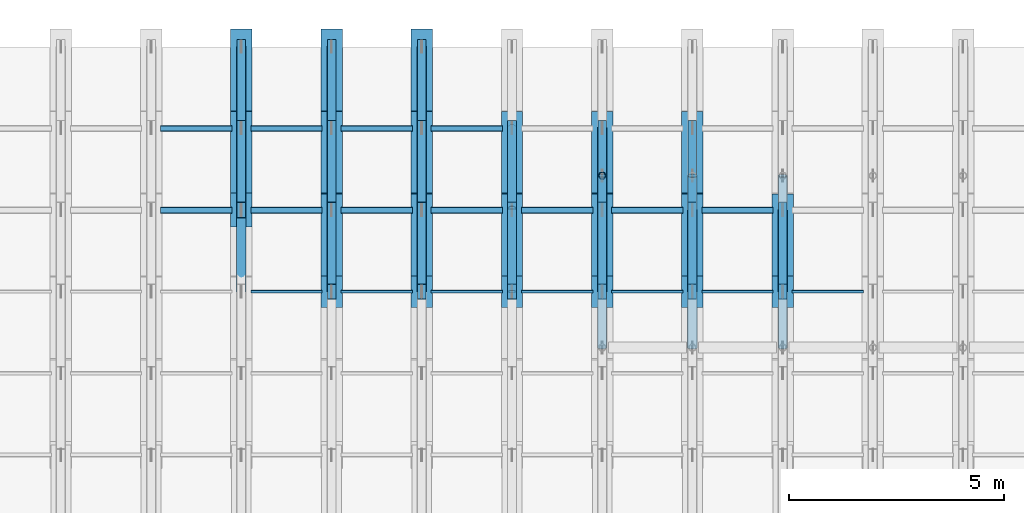
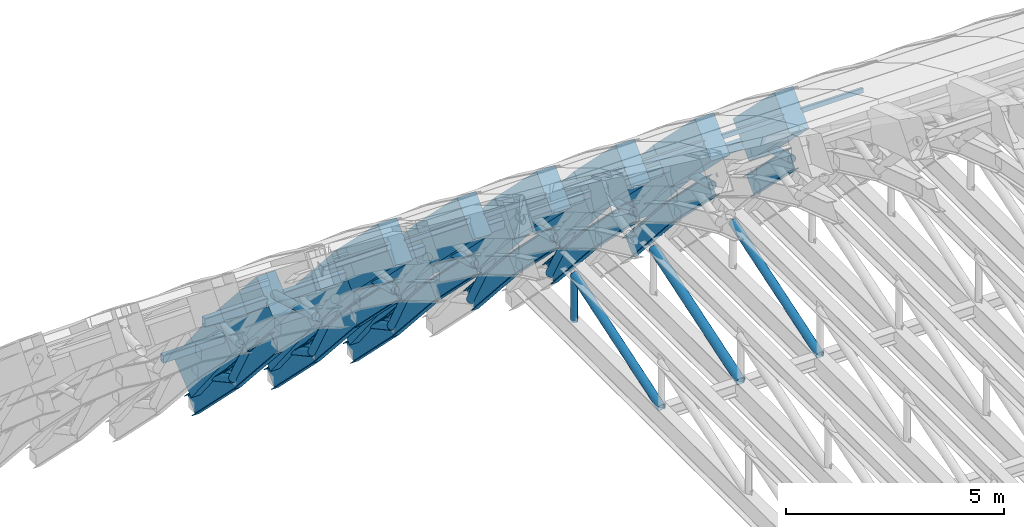
# One storey, part 46 of 67: 37 members, 30 beams.
"""IFC4 building model written with IfcOpenShell, lengths in metres."""

from ifc_helpers import new_model, si_unit, direction, frame, origin, origin_2d, place, context, subcontext, project, spatial, rectangle, hollow_rectangle, hollow_circle, i_section, extrude, material, material_profile, profile_set, type_object, element, save


model = new_model("IFC4")

# Units and contexts
model_context = context("Model", 3, precision=1e-05, world=origin(), true_north=direction((0.0, 1.0)))
body_context = subcontext(model_context, "Body", "Model", "MODEL_VIEW")
ifc_project = project(units=[si_unit("LENGTHUNIT", "METRE"), si_unit("AREAUNIT", "SQUARE_METRE"), si_unit("VOLUMEUNIT", "CUBIC_METRE"), si_unit("PLANEANGLEUNIT", "RADIAN"), si_unit("MASSUNIT", "GRAM", prefix="KILO")], contexts=[model_context])

# Site, building, storey
site_placement = place(None, origin())
site = spatial("IfcSite", under=ifc_project, at=site_placement, CompositionType="ELEMENT")
building_placement = place(site_placement, origin())
building = spatial("IfcBuilding", under=site, at=building_placement, Name="Shengluoqiao Park Theatre", CompositionType="ELEMENT")
storey_placement = place(building_placement, frame((0.0, 0.0, 28.60009765625)))
storey = spatial("IfcBuildingStorey", under=building, at=storey_placement, Name="Roof", CompositionType="ELEMENT", Elevation=28.60009765625)

# Beams
ifc_material_1 = material(Name="Concrete C50", Category="concrete")
ifc_material_profile_1 = material_profile(ifc_material_1, rectangle(XDim=0.5, YDim=1.050048828125, at=origin_2d()), Name="RC ARCH 500x1050")
ifc_profile_set_1 = profile_set([ifc_material_profile_1], Name="Concrete C50")
beam_type_1 = type_object("IfcBeamType", Name="STR-BM-AR-5010", PredefinedType="BEAM", material=ifc_profile_set_1)
beam_1_placement = place(storey_placement, frame((54.89990234375, 110.199951171875, -5.484130859375), z_axis=(0.0, 0.663638456789, -0.748053473136), x_axis=(-1.0, 0.0, 0.0)))
element("IfcBeam", 1, at=beam_1_placement, inside=storey, type_object=beam_type_1, Name="Barrel-Shell Arch Rib R06-S19", PredefinedType="BEAM", context=body_context, shape_type="SweptSolid", body=[
    extrude(rectangle(XDim=0.5, YDim=1.050048828125, at=origin_2d()), origin(), (0.0, 0.0, 1.0), 2.86328125),
])
beam_2_placement = place(storey_placement, frame((54.89990234375, 112.10009765625, -7.6259765625), z_axis=(0.0, 0.621631409309, -0.783309894588), x_axis=(-1.0, 0.0, 0.0)))
element("IfcBeam", 2, at=beam_2_placement, inside=storey, type_object=beam_type_1, Name="Barrel-Shell Arch Rib R06-S20", PredefinedType="BEAM", context=body_context, shape_type="SweptSolid", body=[
    extrude(rectangle(XDim=0.5, YDim=1.050048828125, at=origin_2d()), origin(), (0.0, 0.0, 1.0), 3.056396484375),
])
beam_3_placement = place(storey_placement, frame((57.0, 108.300048828125, -3.593994140625), z_axis=(0.0, 0.708926398432, -0.705282469373), x_axis=(-1.0, 0.0, 0.0)))
element("IfcBeam", 3, at=beam_3_placement, inside=storey, type_object=beam_type_1, Name="Barrel-Shell Arch Rib R07-S18", PredefinedType="BEAM", context=body_context, shape_type="SweptSolid", body=[
    extrude(rectangle(XDim=0.5, YDim=1.050048828125, at=origin_2d()), origin(), (0.0, 0.0, 1.0), 2.679931640625),
])
beam_4_placement = place(storey_placement, frame((57.0, 110.199951171875, -5.484130859375), z_axis=(0.0, 0.663638456789, -0.748053473136), x_axis=(-1.0, 0.0, 0.0)))
element("IfcBeam", 4, at=beam_4_placement, inside=storey, type_object=beam_type_1, Name="Barrel-Shell Arch Rib R07-S19", PredefinedType="BEAM", context=body_context, shape_type="SweptSolid", body=[
    extrude(rectangle(XDim=0.5, YDim=1.050048828125, at=origin_2d()), origin(), (0.0, 0.0, 1.0), 2.86328125),
])
beam_5_placement = place(storey_placement, frame((57.0, 112.10009765625, -7.6259765625), z_axis=(0.0, 0.621631409309, -0.783309894588), x_axis=(-1.0, 0.0, 0.0)))
element("IfcBeam", 5, at=beam_5_placement, inside=storey, type_object=beam_type_1, Name="Barrel-Shell Arch Rib R07-S20", PredefinedType="BEAM", context=body_context, shape_type="SweptSolid", body=[
    extrude(rectangle(XDim=0.5, YDim=1.050048828125, at=origin_2d()), origin(), (0.0, 0.0, 1.0), 3.056396484375),
])
beam_6_placement = place(storey_placement, frame((59.10009765625, 108.300048828125, -3.593994140625), z_axis=(0.0, 0.708926398432, -0.705282469373), x_axis=(-1.0, 0.0, 0.0)))
element("IfcBeam", 6, at=beam_6_placement, inside=storey, type_object=beam_type_1, Name="Barrel-Shell Arch Rib R08-S18", PredefinedType="BEAM", context=body_context, shape_type="SweptSolid", body=[
    extrude(rectangle(XDim=0.5, YDim=1.050048828125, at=origin_2d()), origin(), (0.0, 0.0, 1.0), 2.679931640625),
])
beam_7_placement = place(storey_placement, frame((59.10009765625, 110.199951171875, -5.484130859375), z_axis=(0.0, 0.663638456789, -0.748053473136), x_axis=(-1.0, 0.0, 0.0)))
element("IfcBeam", 7, at=beam_7_placement, inside=storey, type_object=beam_type_1, Name="Barrel-Shell Arch Rib R08-S19", PredefinedType="BEAM", context=body_context, shape_type="SweptSolid", body=[
    extrude(rectangle(XDim=0.5, YDim=1.050048828125, at=origin_2d()), origin(), (0.0, 0.0, 1.0), 2.86328125),
])
beam_8_placement = place(storey_placement, frame((59.10009765625, 112.10009765625, -7.6259765625), z_axis=(0.0, 0.621631409309, -0.783309894588), x_axis=(-1.0, 0.0, 0.0)))
element("IfcBeam", 8, at=beam_8_placement, inside=storey, type_object=beam_type_1, Name="Barrel-Shell Arch Rib R08-S20", PredefinedType="BEAM", context=body_context, shape_type="SweptSolid", body=[
    extrude(rectangle(XDim=0.5, YDim=1.050048828125, at=origin_2d()), origin(), (0.0, 0.0, 1.0), 3.056396484375),
])
beam_9_placement = place(storey_placement, frame((61.199951171875, 108.300048828125, -3.593994140625), z_axis=(0.0, 0.708926398432, -0.705282469373), x_axis=(-1.0, 0.0, 0.0)))
element("IfcBeam", 9, at=beam_9_placement, inside=storey, type_object=beam_type_1, Name="Barrel-Shell Arch Rib R09-S18", PredefinedType="BEAM", context=body_context, shape_type="SweptSolid", body=[
    extrude(rectangle(XDim=0.5, YDim=1.050048828125, at=origin_2d()), origin(), (0.0, 0.0, 1.0), 2.679931640625),
])
beam_10_placement = place(storey_placement, frame((61.199951171875, 110.199951171875, -5.484130859375), z_axis=(0.0, 0.663638456789, -0.748053473136), x_axis=(-1.0, 0.0, 0.0)))
element("IfcBeam", 10, at=beam_10_placement, inside=storey, type_object=beam_type_1, Name="Barrel-Shell Arch Rib R09-S19", PredefinedType="BEAM", context=body_context, shape_type="SweptSolid", body=[
    extrude(rectangle(XDim=0.5, YDim=1.050048828125, at=origin_2d()), origin(), (0.0, 0.0, 1.0), 2.86328125),
])
beam_11_placement = place(storey_placement, frame((63.300048828125, 108.300048828125, -3.593994140625), z_axis=(0.0, 0.708926398432, -0.705282469373), x_axis=(-1.0, 0.0, 0.0)))
element("IfcBeam", 11, at=beam_11_placement, inside=storey, type_object=beam_type_1, Name="Barrel-Shell Arch Rib R10-S18", PredefinedType="BEAM", context=body_context, shape_type="SweptSolid", body=[
    extrude(rectangle(XDim=0.5, YDim=1.050048828125, at=origin_2d()), origin(), (0.0, 0.0, 1.0), 2.679931640625),
])
beam_12_placement = place(storey_placement, frame((63.300048828125, 110.199951171875, -5.484130859375), z_axis=(0.0, 0.663638456789, -0.748053473136), x_axis=(-1.0, 0.0, 0.0)))
element("IfcBeam", 12, at=beam_12_placement, inside=storey, type_object=beam_type_1, Name="Barrel-Shell Arch Rib R10-S19", PredefinedType="BEAM", context=body_context, shape_type="SweptSolid", body=[
    extrude(rectangle(XDim=0.5, YDim=1.050048828125, at=origin_2d()), origin(), (0.0, 0.0, 1.0), 2.86328125),
])
beam_13_placement = place(storey_placement, frame((65.39990234375, 108.300048828125, -3.593994140625), z_axis=(0.0, 0.708926398432, -0.705282469373), x_axis=(-1.0, 0.0, 0.0)))
element("IfcBeam", 13, at=beam_13_placement, inside=storey, type_object=beam_type_1, Name="Barrel-Shell Arch Rib R11-S18", PredefinedType="BEAM", context=body_context, shape_type="SweptSolid", body=[
    extrude(rectangle(XDim=0.5, YDim=1.050048828125, at=origin_2d()), origin(), (0.0, 0.0, 1.0), 2.679931640625),
])
beam_14_placement = place(storey_placement, frame((65.39990234375, 110.199951171875, -5.484130859375), z_axis=(0.0, 0.663638456789, -0.748053473136), x_axis=(-1.0, 0.0, 0.0)))
element("IfcBeam", 14, at=beam_14_placement, inside=storey, type_object=beam_type_1, Name="Barrel-Shell Arch Rib R11-S19", PredefinedType="BEAM", context=body_context, shape_type="SweptSolid", body=[
    extrude(rectangle(XDim=0.5, YDim=1.050048828125, at=origin_2d()), origin(), (0.0, 0.0, 1.0), 2.86328125),
])
beam_15_placement = place(storey_placement, frame((67.5, 108.300048828125, -3.593994140625), z_axis=(0.0, 0.708926398432, -0.705282469373), x_axis=(-1.0, 0.0, 0.0)))
element("IfcBeam", 15, at=beam_15_placement, inside=storey, type_object=beam_type_1, Name="Barrel-Shell Arch Rib R12-S18", PredefinedType="BEAM", context=body_context, shape_type="SweptSolid", body=[
    extrude(rectangle(XDim=0.5, YDim=1.050048828125, at=origin_2d()), origin(), (0.0, 0.0, 1.0), 2.679931640625),
])
ifc_material_2 = material(Name="Steel Q355", Category="steel")
ifc_material_profile_2 = material_profile(ifc_material_2, i_section(OverallWidth=0.199951171875, OverallDepth=0.5, WebThickness=0.010009765625, FlangeThickness=0.01611328125, FilletRadius=0.01806640625, at=origin_2d()), Name="HN 500x200x10x16")
ifc_profile_set_2 = profile_set([ifc_material_profile_2], Name="Steel Q355")
beam_type_2 = type_object("IfcBeamType", Name="STR-BM-J-HN500", PredefinedType="JOIST", material=ifc_profile_set_2)
beam_16_placement = place(storey_placement, frame((54.89990234375, 110.199951171875, -6.843994140625), z_axis=(0.0, 0.663596128385, -0.748091022799), x_axis=(-1.0, 0.0, 0.0)))
element("IfcBeam", 16, at=beam_16_placement, inside=storey, type_object=beam_type_2, Name="Barrel-Shell Lower Arch Chord R06-S19", PredefinedType="JOIST", context=body_context, shape_type="SweptSolid", body=[
    extrude(i_section(OverallWidth=0.199951171875, OverallDepth=0.5, WebThickness=0.010009765625, FlangeThickness=0.01611328125, FilletRadius=0.01806640625, at=origin_2d()), origin(), (0.0, 0.0, 1.0), 2.863525390625),
])
beam_17_placement = place(storey_placement, frame((54.89990234375, 112.10009765625, -8.986083984375), z_axis=(0.0, 0.708197993403, -0.706013882398), x_axis=(-1.0, 0.0, 0.0)))
element("IfcBeam", 17, at=beam_17_placement, inside=storey, type_object=beam_type_2, Name="Barrel-Shell Lower Arch Chord R06-S20", PredefinedType="JOIST", context=body_context, shape_type="SweptSolid", body=[
    extrude(i_section(OverallWidth=0.199951171875, OverallDepth=0.5, WebThickness=0.010009765625, FlangeThickness=0.01611328125, FilletRadius=0.01806640625, at=origin_2d()), origin(), (0.0, 0.0, 1.0), 2.6826171875),
])
beam_18_placement = place(storey_placement, frame((57.0, 108.300048828125, -4.9541015625), z_axis=(0.0, 0.708971948389, -0.70523668112), x_axis=(-1.0, 0.0, 0.0)))
element("IfcBeam", 18, at=beam_18_placement, inside=storey, type_object=beam_type_2, Name="Barrel-Shell Lower Arch Chord R07-S18", PredefinedType="JOIST", context=body_context, shape_type="SweptSolid", body=[
    extrude(i_section(OverallWidth=0.199951171875, OverallDepth=0.5, WebThickness=0.010009765625, FlangeThickness=0.01611328125, FilletRadius=0.01806640625, at=origin_2d()), origin(), (0.0, 0.0, 1.0), 2.6796875),
])
beam_19_placement = place(storey_placement, frame((57.0, 110.199951171875, -6.843994140625), z_axis=(0.0, 0.663596128385, -0.748091022799), x_axis=(-1.0, 0.0, 0.0)))
element("IfcBeam", 19, at=beam_19_placement, inside=storey, type_object=beam_type_2, Name="Barrel-Shell Lower Arch Chord R07-S19", PredefinedType="JOIST", context=body_context, shape_type="SweptSolid", body=[
    extrude(i_section(OverallWidth=0.199951171875, OverallDepth=0.5, WebThickness=0.010009765625, FlangeThickness=0.01611328125, FilletRadius=0.01806640625, at=origin_2d()), origin(), (0.0, 0.0, 1.0), 2.863525390625),
])
beam_20_placement = place(storey_placement, frame((57.0, 112.10009765625, -8.986083984375), z_axis=(0.0, 0.708197993403, -0.706013882398), x_axis=(-1.0, 0.0, 0.0)))
element("IfcBeam", 20, at=beam_20_placement, inside=storey, type_object=beam_type_2, Name="Barrel-Shell Lower Arch Chord R07-S20", PredefinedType="JOIST", context=body_context, shape_type="SweptSolid", body=[
    extrude(i_section(OverallWidth=0.199951171875, OverallDepth=0.5, WebThickness=0.010009765625, FlangeThickness=0.01611328125, FilletRadius=0.01806640625, at=origin_2d()), origin(), (0.0, 0.0, 1.0), 2.6826171875),
])
beam_21_placement = place(storey_placement, frame((59.10009765625, 108.300048828125, -4.9541015625), z_axis=(0.0, 0.708971948389, -0.70523668112), x_axis=(-1.0, 0.0, 0.0)))
element("IfcBeam", 21, at=beam_21_placement, inside=storey, type_object=beam_type_2, Name="Barrel-Shell Lower Arch Chord R08-S18", PredefinedType="JOIST", context=body_context, shape_type="SweptSolid", body=[
    extrude(i_section(OverallWidth=0.199951171875, OverallDepth=0.5, WebThickness=0.010009765625, FlangeThickness=0.01611328125, FilletRadius=0.01806640625, at=origin_2d()), origin(), (0.0, 0.0, 1.0), 2.6796875),
])
beam_22_placement = place(storey_placement, frame((59.10009765625, 110.199951171875, -6.843994140625), z_axis=(0.0, 0.663596128385, -0.748091022799), x_axis=(-1.0, 0.0, 0.0)))
element("IfcBeam", 22, at=beam_22_placement, inside=storey, type_object=beam_type_2, Name="Barrel-Shell Lower Arch Chord R08-S19", PredefinedType="JOIST", context=body_context, shape_type="SweptSolid", body=[
    extrude(i_section(OverallWidth=0.199951171875, OverallDepth=0.5, WebThickness=0.010009765625, FlangeThickness=0.01611328125, FilletRadius=0.01806640625, at=origin_2d()), origin(), (0.0, 0.0, 1.0), 2.863525390625),
])
beam_23_placement = place(storey_placement, frame((59.10009765625, 112.10009765625, -8.986083984375), z_axis=(0.0, 0.708197993403, -0.706013882398), x_axis=(-1.0, 0.0, 0.0)))
element("IfcBeam", 23, at=beam_23_placement, inside=storey, type_object=beam_type_2, Name="Barrel-Shell Lower Arch Chord R08-S20", PredefinedType="JOIST", context=body_context, shape_type="SweptSolid", body=[
    extrude(i_section(OverallWidth=0.199951171875, OverallDepth=0.5, WebThickness=0.010009765625, FlangeThickness=0.01611328125, FilletRadius=0.01806640625, at=origin_2d()), origin(), (0.0, 0.0, 1.0), 2.6826171875),
])
beam_24_placement = place(storey_placement, frame((61.199951171875, 108.300048828125, -4.9541015625), z_axis=(0.0, 0.708971948389, -0.70523668112), x_axis=(-1.0, 0.0, 0.0)))
element("IfcBeam", 24, at=beam_24_placement, inside=storey, type_object=beam_type_2, Name="Barrel-Shell Lower Arch Chord R09-S18", PredefinedType="JOIST", context=body_context, shape_type="SweptSolid", body=[
    extrude(i_section(OverallWidth=0.199951171875, OverallDepth=0.5, WebThickness=0.010009765625, FlangeThickness=0.01611328125, FilletRadius=0.01806640625, at=origin_2d()), origin(), (0.0, 0.0, 1.0), 2.6796875),
])
beam_25_placement = place(storey_placement, frame((61.199951171875, 110.199951171875, -6.843994140625), z_axis=(0.0, 0.663596128385, -0.748091022799), x_axis=(-1.0, 0.0, 0.0)))
element("IfcBeam", 25, at=beam_25_placement, inside=storey, type_object=beam_type_2, Name="Barrel-Shell Lower Arch Chord R09-S19", PredefinedType="JOIST", context=body_context, shape_type="SweptSolid", body=[
    extrude(i_section(OverallWidth=0.199951171875, OverallDepth=0.5, WebThickness=0.010009765625, FlangeThickness=0.01611328125, FilletRadius=0.01806640625, at=origin_2d()), origin(), (0.0, 0.0, 1.0), 2.863525390625),
])
beam_26_placement = place(storey_placement, frame((63.300048828125, 108.300048828125, -4.9541015625), z_axis=(0.0, 0.708971948389, -0.70523668112), x_axis=(-1.0, 0.0, 0.0)))
element("IfcBeam", 26, at=beam_26_placement, inside=storey, type_object=beam_type_2, Name="Barrel-Shell Lower Arch Chord R10-S18", PredefinedType="JOIST", context=body_context, shape_type="SweptSolid", body=[
    extrude(i_section(OverallWidth=0.199951171875, OverallDepth=0.5, WebThickness=0.010009765625, FlangeThickness=0.01611328125, FilletRadius=0.01806640625, at=origin_2d()), origin(), (0.0, 0.0, 1.0), 2.6796875),
])
beam_27_placement = place(storey_placement, frame((63.300048828125, 110.199951171875, -6.843994140625), z_axis=(0.0, 0.663596128385, -0.748091022799), x_axis=(-1.0, 0.0, 0.0)))
element("IfcBeam", 27, at=beam_27_placement, inside=storey, type_object=beam_type_2, Name="Barrel-Shell Lower Arch Chord R10-S19", PredefinedType="JOIST", context=body_context, shape_type="SweptSolid", body=[
    extrude(i_section(OverallWidth=0.199951171875, OverallDepth=0.5, WebThickness=0.010009765625, FlangeThickness=0.01611328125, FilletRadius=0.01806640625, at=origin_2d()), origin(), (0.0, 0.0, 1.0), 2.863525390625),
])
beam_28_placement = place(storey_placement, frame((65.39990234375, 108.300048828125, -4.9541015625), z_axis=(0.0, 0.708971948389, -0.70523668112), x_axis=(-1.0, 0.0, 0.0)))
element("IfcBeam", 28, at=beam_28_placement, inside=storey, type_object=beam_type_2, Name="Barrel-Shell Lower Arch Chord R11-S18", PredefinedType="JOIST", context=body_context, shape_type="SweptSolid", body=[
    extrude(i_section(OverallWidth=0.199951171875, OverallDepth=0.5, WebThickness=0.010009765625, FlangeThickness=0.01611328125, FilletRadius=0.01806640625, at=origin_2d()), origin(), (0.0, 0.0, 1.0), 2.6796875),
])
beam_29_placement = place(storey_placement, frame((65.39990234375, 110.199951171875, -6.843994140625), z_axis=(0.0, 0.663596128385, -0.748091022799), x_axis=(-1.0, 0.0, 0.0)))
element("IfcBeam", 29, at=beam_29_placement, inside=storey, type_object=beam_type_2, Name="Barrel-Shell Lower Arch Chord R11-S19", PredefinedType="JOIST", context=body_context, shape_type="SweptSolid", body=[
    extrude(i_section(OverallWidth=0.199951171875, OverallDepth=0.5, WebThickness=0.010009765625, FlangeThickness=0.01611328125, FilletRadius=0.01806640625, at=origin_2d()), origin(), (0.0, 0.0, 1.0), 2.863525390625),
])
beam_30_placement = place(storey_placement, frame((67.5, 108.300048828125, -4.9541015625), z_axis=(0.0, 0.708971948389, -0.70523668112), x_axis=(-1.0, 0.0, 0.0)))
element("IfcBeam", 30, at=beam_30_placement, inside=storey, type_object=beam_type_2, Name="Barrel-Shell Lower Arch Chord R12-S18", PredefinedType="JOIST", context=body_context, shape_type="SweptSolid", body=[
    extrude(i_section(OverallWidth=0.199951171875, OverallDepth=0.5, WebThickness=0.010009765625, FlangeThickness=0.01611328125, FilletRadius=0.01806640625, at=origin_2d()), origin(), (0.0, 0.0, 1.0), 2.6796875),
])

# Members
ifc_material_profile_3 = material_profile(ifc_material_2, hollow_circle(Radius=0.109619140625, WallThickness=0.010009765625, at=origin_2d()), Name="CHS 219x10")
ifc_profile_set_3 = profile_set([ifc_material_profile_3], Name="Steel Q355")
member_type_1 = type_object("IfcMemberType", Name="STR-MEM-BRC-219", PredefinedType="BRACE", material=ifc_profile_set_3)
member_1_placement = place(storey_placement, frame((54.89990234375, 108.300048828125, -4.9541015625), z_axis=(0.0, 0.963219400843, -0.268716180831), x_axis=(-1.0, 0.0, 0.0)))
element("IfcMember", 31, at=member_1_placement, inside=storey, type_object=member_type_1, Name="Barrel-Shell Arch Truss Web 0118", PredefinedType="BRACE", context=body_context, shape_type="SweptSolid", body=[
    extrude(hollow_circle(Radius=0.109619140625, WallThickness=0.010009765625, at=origin_2d()), origin(), (0.0, 0.0, 1.0), 1.972412109375),
])
member_2_placement = place(storey_placement, frame((54.89990234375, 110.199951171875, -5.484130859375), z_axis=(0.0, 0.476914707828, -0.87894957845), x_axis=(-1.0, 0.0, 0.0)))
element("IfcMember", 32, at=member_2_placement, inside=storey, type_object=member_type_1, Name="Barrel-Shell Arch Truss Web 0119", PredefinedType="BRACE", context=body_context, shape_type="SweptSolid", body=[
    extrude(hollow_circle(Radius=0.109619140625, WallThickness=0.010009765625, at=origin_2d()), origin(), (0.0, 0.0, 1.0), 3.984130859375),
])
member_3_placement = place(storey_placement, frame((54.89990234375, 112.10009765625, -8.986083984375), z_axis=(0.0, 0.878356711208, -0.478005740422), x_axis=(-1.0, 0.0, 0.0)))
element("IfcMember", 33, at=member_3_placement, inside=storey, type_object=member_type_1, Name="Barrel-Shell Arch Truss Web 0120", PredefinedType="BRACE", context=body_context, shape_type="SweptSolid", body=[
    extrude(hollow_circle(Radius=0.109619140625, WallThickness=0.010009765625, at=origin_2d()), origin(), (0.0, 0.0, 1.0), 2.1630859375),
])
member_4_placement = place(storey_placement, frame((57.0, 108.300048828125, -4.9541015625), z_axis=(0.0, 0.963219400843, -0.268716180831), x_axis=(-1.0, 0.0, 0.0)))
element("IfcMember", 34, at=member_4_placement, inside=storey, type_object=member_type_1, Name="Barrel-Shell Arch Truss Web 0138", PredefinedType="BRACE", context=body_context, shape_type="SweptSolid", body=[
    extrude(hollow_circle(Radius=0.109619140625, WallThickness=0.010009765625, at=origin_2d()), origin(), (0.0, 0.0, 1.0), 1.972412109375),
])
member_5_placement = place(storey_placement, frame((57.0, 110.199951171875, -5.484130859375), z_axis=(0.0, 0.476914707828, -0.87894957845), x_axis=(-1.0, 0.0, 0.0)))
element("IfcMember", 35, at=member_5_placement, inside=storey, type_object=member_type_1, Name="Barrel-Shell Arch Truss Web 0139", PredefinedType="BRACE", context=body_context, shape_type="SweptSolid", body=[
    extrude(hollow_circle(Radius=0.109619140625, WallThickness=0.010009765625, at=origin_2d()), origin(), (0.0, 0.0, 1.0), 3.984130859375),
])
member_6_placement = place(storey_placement, frame((57.0, 112.10009765625, -8.986083984375), z_axis=(0.0, 0.878356711208, -0.478005740422), x_axis=(-1.0, 0.0, 0.0)))
element("IfcMember", 36, at=member_6_placement, inside=storey, type_object=member_type_1, Name="Barrel-Shell Arch Truss Web 0140", PredefinedType="BRACE", context=body_context, shape_type="SweptSolid", body=[
    extrude(hollow_circle(Radius=0.109619140625, WallThickness=0.010009765625, at=origin_2d()), origin(), (0.0, 0.0, 1.0), 2.1630859375),
])
member_7_placement = place(storey_placement, frame((59.10009765625, 108.300048828125, -4.9541015625), z_axis=(0.0, 0.963219400843, -0.268716180831), x_axis=(-1.0, 0.0, 0.0)))
element("IfcMember", 37, at=member_7_placement, inside=storey, type_object=member_type_1, Name="Barrel-Shell Arch Truss Web 0158", PredefinedType="BRACE", context=body_context, shape_type="SweptSolid", body=[
    extrude(hollow_circle(Radius=0.109619140625, WallThickness=0.010009765625, at=origin_2d()), origin(), (0.0, 0.0, 1.0), 1.972412109375),
])
member_8_placement = place(storey_placement, frame((59.10009765625, 110.199951171875, -5.484130859375), z_axis=(0.0, 0.476914707828, -0.87894957845), x_axis=(-1.0, 0.0, 0.0)))
element("IfcMember", 38, at=member_8_placement, inside=storey, type_object=member_type_1, Name="Barrel-Shell Arch Truss Web 0159", PredefinedType="BRACE", context=body_context, shape_type="SweptSolid", body=[
    extrude(hollow_circle(Radius=0.109619140625, WallThickness=0.010009765625, at=origin_2d()), origin(), (0.0, 0.0, 1.0), 3.984130859375),
])
member_9_placement = place(storey_placement, frame((59.10009765625, 112.10009765625, -8.986083984375), z_axis=(0.0, 0.878356711208, -0.478005740422), x_axis=(-1.0, 0.0, 0.0)))
element("IfcMember", 39, at=member_9_placement, inside=storey, type_object=member_type_1, Name="Barrel-Shell Arch Truss Web 0160", PredefinedType="BRACE", context=body_context, shape_type="SweptSolid", body=[
    extrude(hollow_circle(Radius=0.109619140625, WallThickness=0.010009765625, at=origin_2d()), origin(), (0.0, 0.0, 1.0), 2.1630859375),
])
member_10_placement = place(storey_placement, frame((61.199951171875, 108.300048828125, -4.9541015625), z_axis=(0.0, 0.963219400843, -0.268716180831), x_axis=(-1.0, 0.0, 0.0)))
element("IfcMember", 40, at=member_10_placement, inside=storey, type_object=member_type_1, Name="Barrel-Shell Arch Truss Web 0178", PredefinedType="BRACE", context=body_context, shape_type="SweptSolid", body=[
    extrude(hollow_circle(Radius=0.109619140625, WallThickness=0.010009765625, at=origin_2d()), origin(), (0.0, 0.0, 1.0), 1.972412109375),
])
member_11_placement = place(storey_placement, frame((61.199951171875, 110.199951171875, -5.484130859375), z_axis=(0.0, 0.476914707828, -0.87894957845), x_axis=(-1.0, 0.0, 0.0)))
element("IfcMember", 41, at=member_11_placement, inside=storey, type_object=member_type_1, Name="Barrel-Shell Arch Truss Web 0179", PredefinedType="BRACE", context=body_context, shape_type="SweptSolid", body=[
    extrude(hollow_circle(Radius=0.109619140625, WallThickness=0.010009765625, at=origin_2d()), origin(), (0.0, 0.0, 1.0), 3.984130859375),
])
member_12_placement = place(storey_placement, frame((63.300048828125, 108.300048828125, -4.9541015625), z_axis=(0.0, 0.963219400843, -0.268716180831), x_axis=(-1.0, 0.0, 0.0)))
element("IfcMember", 42, at=member_12_placement, inside=storey, type_object=member_type_1, Name="Barrel-Shell Arch Truss Web 0198", PredefinedType="BRACE", context=body_context, shape_type="SweptSolid", body=[
    extrude(hollow_circle(Radius=0.109619140625, WallThickness=0.010009765625, at=origin_2d()), origin(), (0.0, 0.0, 1.0), 1.972412109375),
])
member_13_placement = place(storey_placement, frame((63.300048828125, 110.199951171875, -5.484130859375), z_axis=(0.0, 0.476914707828, -0.87894957845), x_axis=(-1.0, 0.0, 0.0)))
element("IfcMember", 43, at=member_13_placement, inside=storey, type_object=member_type_1, Name="Barrel-Shell Arch Truss Web 0199", PredefinedType="BRACE", context=body_context, shape_type="SweptSolid", body=[
    extrude(hollow_circle(Radius=0.109619140625, WallThickness=0.010009765625, at=origin_2d()), origin(), (0.0, 0.0, 1.0), 3.984130859375),
])
for number, where, z_axis, x_axis, name in (
    (44, (65.39990234375, 108.300048828125, -4.9541015625), (0.0, 0.963219400843, -0.268716180831), (-1.0, 0.0, 0.0), "Barrel-Shell Arch Truss Web 0218"),
    (45, (67.5, 108.300048828125, -4.9541015625), (0.0, 0.963219400843, -0.268716180831), (-1.0, 0.0, 0.0), "Barrel-Shell Arch Truss Web 0238"),
):
    element("IfcMember", number, at=place(storey_placement, frame(where, z_axis=z_axis, x_axis=x_axis)), inside=storey, type_object=member_type_1, Name=name, PredefinedType="BRACE", context=body_context, shape_type="SweptSolid", body=[
        extrude(hollow_circle(Radius=0.109619140625, WallThickness=0.010009765625, at=origin_2d()), origin(), (0.0, 0.0, 1.0), 1.972412109375),
    ])
for number, where, z_axis, x_axis, name in (
    (46, (63.300048828125, 107.0, -9.650146484375), (0.0, 0.951030656115, 0.309096572498), (-1.0, 0.0, 0.0), "Acoustic Tie Truss Diagonal 0017"),
    (47, (67.5, 107.0, -9.650146484375), (0.0, 0.951030656115, 0.309096572498), (-1.0, 0.0, 0.0), "Acoustic Tie Truss Diagonal 0051"),
):
    element("IfcMember", number, at=place(storey_placement, frame(where, z_axis=z_axis, x_axis=x_axis)), inside=storey, type_object=member_type_1, Name=name, PredefinedType="BRACE", context=body_context, shape_type="SweptSolid", body=[
        extrude(hollow_circle(Radius=0.109619140625, WallThickness=0.010009765625, at=origin_2d()), origin(), (0.0, 0.0, 1.0), 4.2060546875),
    ])
ifc_material_profile_4 = material_profile(ifc_material_2, hollow_circle(Radius=0.12255859375, WallThickness=0.010009765625, at=origin_2d()), Name="CHS 245x10")
ifc_profile_set_4 = profile_set([ifc_material_profile_4], Name="Steel Q355")
member_type_2 = type_object("IfcMemberType", Name="STR-MEM-BRC-245", PredefinedType="BRACE", material=ifc_profile_set_4)
member_14_placement = place(storey_placement, frame((65.39990234375, 107.0, -9.650146484375), z_axis=(0.0, 0.951030656115, 0.309096572498), x_axis=(-1.0, 0.0, 0.0)))
element("IfcMember", 48, at=member_14_placement, inside=storey, type_object=member_type_2, Name="Acoustic Tie Truss Diagonal 0034", PredefinedType="BRACE", context=body_context, shape_type="SweptSolid", body=[
    extrude(hollow_circle(Radius=0.12255859375, WallThickness=0.010009765625, at=origin_2d()), origin(), (0.0, 0.0, 1.0), 4.2060546875),
])
ifc_material_profile_5 = material_profile(ifc_material_2, hollow_rectangle(XDim=0.070068359375, YDim=0.139892578125, WallThickness=0.006103515625, InnerFilletRadius=0.006103515625, OuterFilletRadius=0.011962890625, at=origin_2d()), Name="RHS 140x70x6")
ifc_profile_set_5 = profile_set([ifc_material_profile_5], Name="Steel Q355")
member_type_3 = type_object("IfcMemberType", Name="STR-MEM-PU-R140", PredefinedType="PURLIN", material=ifc_profile_set_5)
for number, where, z_axis, x_axis, name in (
    (49, (55.1201171875, 108.300048828125, -3.674072265625), (1.0, 0.0, 0.0), (0.0, 1.0, 0.0), "Shell Longitudinal Purlin 0112"),
    (50, (57.219970703125, 108.300048828125, -3.674072265625), (1.0, 0.0, 0.0), (0.0, 1.0, 0.0), "Shell Longitudinal Purlin 0131"),
    (51, (59.320068359375, 108.300048828125, -3.674072265625), (1.0, 0.0, 0.0), (0.0, 1.0, 0.0), "Shell Longitudinal Purlin 0150"),
):
    element("IfcMember", number, at=place(storey_placement, frame(where, z_axis=z_axis, x_axis=x_axis)), inside=storey, type_object=member_type_3, Name=name, PredefinedType="PURLIN", context=body_context, shape_type="SweptSolid", body=[
        extrude(hollow_rectangle(XDim=0.070068359375, YDim=0.139892578125, WallThickness=0.006103515625, InnerFilletRadius=0.006103515625, OuterFilletRadius=0.011962890625, at=origin_2d()), origin(), (0.0, 0.0, 1.0), 1.659912109375),
    ])
member_15_placement = place(storey_placement, frame((61.419921875, 108.300048828125, -3.674072265625), z_axis=(1.0, 0.0, 0.0), x_axis=(0.0, 1.0, 0.0)))
element("IfcMember", 52, at=member_15_placement, inside=storey, type_object=member_type_3, Name="Shell Longitudinal Purlin 0169", PredefinedType="PURLIN", context=body_context, shape_type="SweptSolid", body=[
    extrude(hollow_rectangle(XDim=0.070068359375, YDim=0.139892578125, WallThickness=0.006103515625, InnerFilletRadius=0.006103515625, OuterFilletRadius=0.011962890625, at=origin_2d()), origin(), (0.0, 0.0, 1.0), 1.66015625),
])
for number, where, z_axis, x_axis, name in (
    (53, (63.52001953125, 108.300048828125, -3.674072265625), (1.0, 0.0, 0.0), (0.0, 1.0, 0.0), "Shell Longitudinal Purlin 0188"),
    (54, (65.6201171875, 108.300048828125, -3.674072265625), (1.0, 0.0, 0.0), (0.0, 1.0, 0.0), "Shell Longitudinal Purlin 0207"),
    (55, (67.719970703125, 108.300048828125, -3.674072265625), (1.0, 0.0, 0.0), (0.0, 1.0, 0.0), "Shell Longitudinal Purlin 0226"),
):
    element("IfcMember", number, at=place(storey_placement, frame(where, z_axis=z_axis, x_axis=x_axis)), inside=storey, type_object=member_type_3, Name=name, PredefinedType="PURLIN", context=body_context, shape_type="SweptSolid", body=[
        extrude(hollow_rectangle(XDim=0.070068359375, YDim=0.139892578125, WallThickness=0.006103515625, InnerFilletRadius=0.006103515625, OuterFilletRadius=0.011962890625, at=origin_2d()), origin(), (0.0, 0.0, 1.0), 1.659912109375),
    ])
ifc_material_profile_6 = material_profile(ifc_material_2, hollow_rectangle(XDim=0.139892578125, YDim=0.219970703125, WallThickness=0.010009765625, InnerFilletRadius=0.010009765625, OuterFilletRadius=0.02001953125, at=origin_2d()), Name="RHS 220x140x10")
ifc_profile_set_6 = profile_set([ifc_material_profile_6], Name="Steel Q355")
member_type_4 = type_object("IfcMemberType", Name="STR-MEM-PU-R220", PredefinedType="PURLIN", material=ifc_profile_set_6)
for number, where, z_axis, x_axis, name in (
    (56, (53.02001953125, 112.10009765625, -7.76611328125), (1.0, 0.0, 0.0), (0.0, 1.0, 0.0), "Shell Longitudinal Purlin 0095"),
    (57, (55.1201171875, 112.10009765625, -7.76611328125), (1.0, 0.0, 0.0), (0.0, 1.0, 0.0), "Shell Longitudinal Purlin 0114"),
    (58, (57.219970703125, 112.10009765625, -7.76611328125), (1.0, 0.0, 0.0), (0.0, 1.0, 0.0), "Shell Longitudinal Purlin 0133"),
    (59, (59.320068359375, 112.10009765625, -7.76611328125), (1.0, 0.0, 0.0), (0.0, 1.0, 0.0), "Shell Longitudinal Purlin 0152"),
):
    element("IfcMember", number, at=place(storey_placement, frame(where, z_axis=z_axis, x_axis=x_axis)), inside=storey, type_object=member_type_4, Name=name, PredefinedType="PURLIN", context=body_context, shape_type="SweptSolid", body=[
        extrude(hollow_rectangle(XDim=0.139892578125, YDim=0.219970703125, WallThickness=0.010009765625, InnerFilletRadius=0.010009765625, OuterFilletRadius=0.02001953125, at=origin_2d()), origin(), (0.0, 0.0, 1.0), 1.659912109375),
    ])
ifc_material_profile_7 = material_profile(ifc_material_2, hollow_rectangle(XDim=0.14990234375, YDim=0.25, WallThickness=0.010009765625, InnerFilletRadius=0.010009765625, OuterFilletRadius=0.02001953125, at=origin_2d()), Name="RHS 250x150x10")
ifc_profile_set_7 = profile_set([ifc_material_profile_7], Name="Steel Q355")
member_type_5 = type_object("IfcMemberType", Name="STR-MEM-PU-R250", PredefinedType="PURLIN", material=ifc_profile_set_7)
for number, where, z_axis, x_axis, name in (
    (60, (53.02001953125, 110.199951171875, -5.593994140625), (1.0, 0.0, 0.0), (0.0, 1.0, 0.0), "Shell Longitudinal Purlin 0094"),
    (61, (55.1201171875, 110.199951171875, -5.593994140625), (1.0, 0.0, 0.0), (0.0, 1.0, 0.0), "Shell Longitudinal Purlin 0113"),
    (62, (57.219970703125, 110.199951171875, -5.593994140625), (1.0, 0.0, 0.0), (0.0, 1.0, 0.0), "Shell Longitudinal Purlin 0132"),
    (63, (59.320068359375, 110.199951171875, -5.593994140625), (1.0, 0.0, 0.0), (0.0, 1.0, 0.0), "Shell Longitudinal Purlin 0151"),
):
    element("IfcMember", number, at=place(storey_placement, frame(where, z_axis=z_axis, x_axis=x_axis)), inside=storey, type_object=member_type_5, Name=name, PredefinedType="PURLIN", context=body_context, shape_type="SweptSolid", body=[
        extrude(hollow_rectangle(XDim=0.14990234375, YDim=0.25, WallThickness=0.010009765625, InnerFilletRadius=0.010009765625, OuterFilletRadius=0.02001953125, at=origin_2d()), origin(), (0.0, 0.0, 1.0), 1.659912109375),
    ])
member_16_placement = place(storey_placement, frame((61.419921875, 110.199951171875, -5.593994140625), z_axis=(1.0, 0.0, 0.0), x_axis=(0.0, 1.0, 0.0)))
element("IfcMember", 64, at=member_16_placement, inside=storey, type_object=member_type_5, Name="Shell Longitudinal Purlin 0170", PredefinedType="PURLIN", context=body_context, shape_type="SweptSolid", body=[
    extrude(hollow_rectangle(XDim=0.14990234375, YDim=0.25, WallThickness=0.010009765625, InnerFilletRadius=0.010009765625, OuterFilletRadius=0.02001953125, at=origin_2d()), origin(), (0.0, 0.0, 1.0), 1.66015625),
])
for number, where, z_axis, x_axis, name in (
    (65, (63.52001953125, 110.199951171875, -5.593994140625), (1.0, 0.0, 0.0), (0.0, 1.0, 0.0), "Shell Longitudinal Purlin 0189"),
    (66, (65.6201171875, 110.199951171875, -5.593994140625), (1.0, 0.0, 0.0), (0.0, 1.0, 0.0), "Shell Longitudinal Purlin 0208"),
):
    element("IfcMember", number, at=place(storey_placement, frame(where, z_axis=z_axis, x_axis=x_axis)), inside=storey, type_object=member_type_5, Name=name, PredefinedType="PURLIN", context=body_context, shape_type="SweptSolid", body=[
        extrude(hollow_rectangle(XDim=0.14990234375, YDim=0.25, WallThickness=0.010009765625, InnerFilletRadius=0.010009765625, OuterFilletRadius=0.02001953125, at=origin_2d()), origin(), (0.0, 0.0, 1.0), 1.659912109375),
    ])
ifc_material_profile_8 = material_profile(ifc_material_2, hollow_circle(Radius=0.083984375, WallThickness=0.008056640625, at=origin_2d()), Name="CHS 168x8")
ifc_profile_set_8 = profile_set([ifc_material_profile_8], Name="Steel Q355")
member_type_6 = type_object("IfcMemberType", Name="STR-MEM-STC-168", PredefinedType="STRUT", material=ifc_profile_set_8)
member_17_placement = place(storey_placement, frame((63.300048828125, 111.0, -9.650146484375), z_axis=(0.0, 0.0, 1.0), x_axis=(1.0, 0.0, 0.0)))
element("IfcMember", 67, at=member_17_placement, inside=storey, type_object=member_type_6, Name="Acoustic Tie Truss Strut 0009", PredefinedType="STRUT", context=body_context, shape_type="SweptSolid", body=[
    extrude(hollow_circle(Radius=0.083984375, WallThickness=0.008056640625, at=origin_2d()), origin(), (0.0, 0.0, 1.0), 1.300048828125),
])

save(model, "model.ifc")
